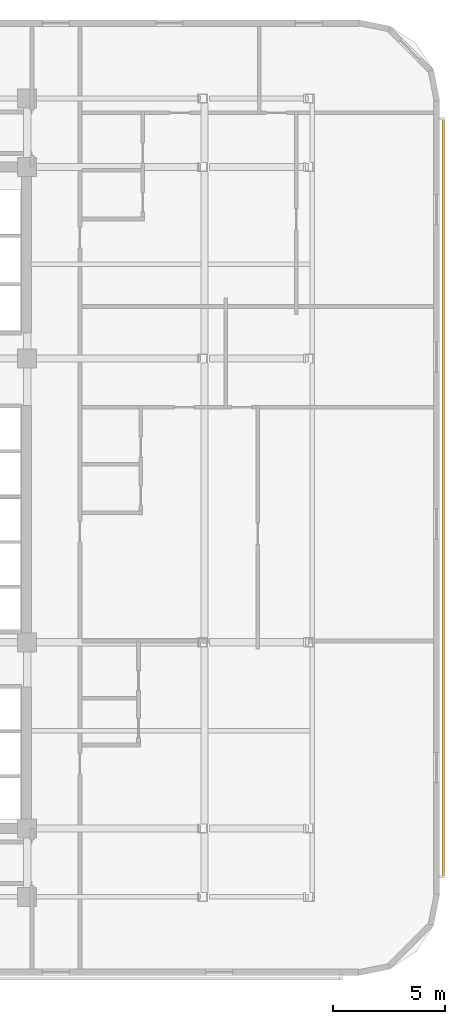
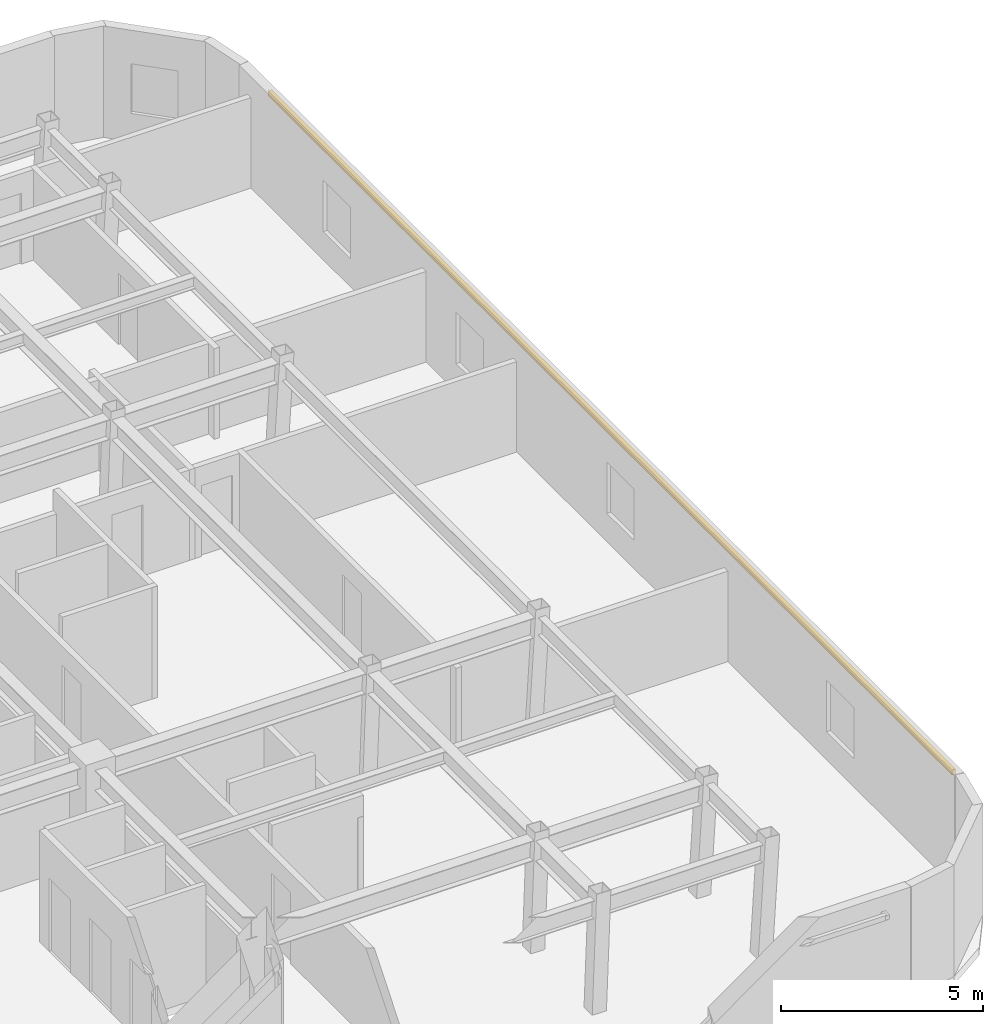
# One storey, part 10 of 11: 1 shading device.
"""IFC4 building model written with IfcOpenShell, lengths in metres."""

from ifc_helpers import new_model, si_unit, direction, frame, origin, origin_2d, place, context, subcontext, project, spatial, rectangle, extrude, material, material_profile, profile_set, type_object, element, save


model = new_model("IFC4")

# Units and contexts
model_context = context("Model", 3, precision=1e-05, world=origin(), true_north=direction((0.0, 1.0)))
body_context = subcontext(model_context, "Body", "Model", "MODEL_VIEW")
ifc_project = project(units=[si_unit("LENGTHUNIT", "METRE"), si_unit("AREAUNIT", "SQUARE_METRE"), si_unit("VOLUMEUNIT", "CUBIC_METRE"), si_unit("PLANEANGLEUNIT", "RADIAN"), si_unit("MASSUNIT", "GRAM", prefix="KILO")], contexts=[model_context])

# Site, building, storey
site_placement = place(None, origin())
site = spatial("IfcSite", under=ifc_project, at=site_placement, CompositionType="ELEMENT")
building_placement = place(site_placement, origin())
building = spatial("IfcBuilding", under=site, at=building_placement, Name="Ochreholt Gables", CompositionType="ELEMENT")
storey_placement = place(building_placement, frame((0.0, 0.0, 87.60009765625)))
storey = spatial("IfcBuildingStorey", under=building, at=storey_placement, Name="L22", CompositionType="ELEMENT", Elevation=87.60009765625)

# Shading device
ifc_material = material(Name="Warm Ochre Glazed Terracotta Baguette", Category="masonry")
ifc_material_profile = material_profile(ifc_material, rectangle(XDim=0.110107421875, YDim=0.14990234375, at=origin_2d()), Name="TCBAG110X150")
ifc_profile_set = profile_set([ifc_material_profile], Name="Warm Ochre Glazed Terracotta Baguette")
shading_device_type = type_object("IfcShadingDeviceType", Name="SHD-BAGUETTE", PredefinedType="USERDEFINED", material=ifc_profile_set)
shading_device_placement = place(storey_placement, frame((53.75, 7.10009765625, 2.83984375), z_axis=(0.0, 1.0, 0.0), x_axis=(-1.0, 0.0, 0.0)))
element("IfcShadingDevice", 1, at=shading_device_placement, inside=storey, type_object=shading_device_type, Name="L22 Terracotta Baguette Screen E-1", ObjectType="BAGUETTE", PredefinedType="USERDEFINED", context=body_context, shape_type="SweptSolid", body=[
    extrude(rectangle(XDim=0.110107421875, YDim=0.14990234375, at=origin_2d()), origin(), (0.0, 0.0, 1.0), 33.7998046875),
])

save(model, "model.ifc")
